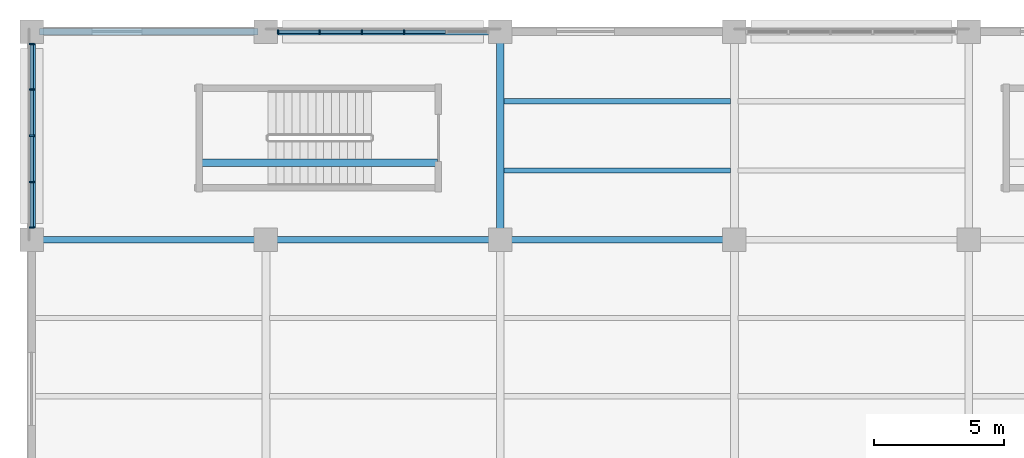
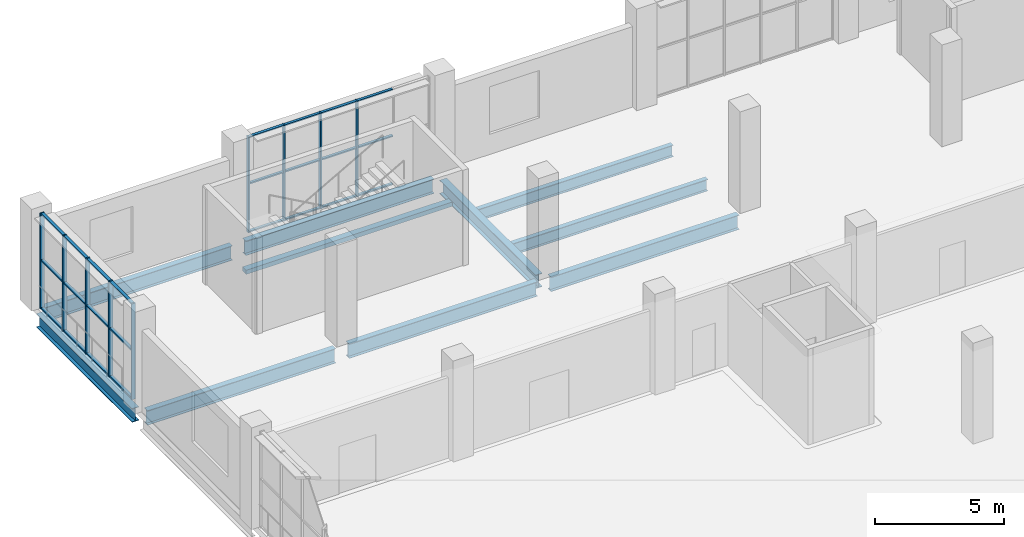
# One storey, part 50 of 183: 33 members, 10 beams, 2 elements without a shape of their own.
"""IFC4 building model written with IfcOpenShell, lengths in metres."""

from ifc_helpers import new_model, si_unit, direction, frame, origin, origin_2d, place, context, subcontext, project, spatial, rectangle, i_section, extrude, material, material_profile, profile_set, type_object, element, aggregate, save


model = new_model("IFC4")

# Units and contexts
model_context = context("Model", 3, precision=1e-05, world=origin(), true_north=direction((0.0, 1.0)))
body_context = subcontext(model_context, "Body", "Model", "MODEL_VIEW")
ifc_project = project(units=[si_unit("LENGTHUNIT", "METRE"), si_unit("AREAUNIT", "SQUARE_METRE"), si_unit("VOLUMEUNIT", "CUBIC_METRE"), si_unit("PLANEANGLEUNIT", "RADIAN"), si_unit("MASSUNIT", "GRAM", prefix="KILO")], contexts=[model_context])

# Site, building, storey
site_placement = place(None, origin())
site = spatial("IfcSite", under=ifc_project, at=site_placement, CompositionType="ELEMENT")
building_placement = place(site_placement, origin())
building = spatial("IfcBuilding", under=site, at=building_placement, Name="Zevraka Park Crest Stadium", CompositionType="ELEMENT")
storey_placement = place(building_placement, frame((0.0, 0.0, 5.39990234375)))
storey = spatial("IfcBuildingStorey", under=building, at=storey_placement, Name="L01", CompositionType="ELEMENT", Elevation=5.39990234375)

# Beams
ifc_material_1 = material(Name="Steel S355", Category="steel")
ifc_material_profile_1 = material_profile(ifc_material_1, i_section(OverallWidth=0.253662109375, OverallDepth=0.68359375, WebThickness=0.012451171875, FlangeThickness=0.01904296875, at=origin_2d()), Name="UKB 686x254x140")
ifc_profile_set_1 = profile_set([ifc_material_profile_1], Name="Steel S355")
beam_type_1 = type_object("IfcBeamType", Name="BG05", PredefinedType="BEAM", material=ifc_profile_set_1)
for number, where, z_axis, x_axis, name in (
    (1, (0.300048828125, 176.0, -0.649658203125), (1.0, 0.0, 0.0), (0.0, 1.0, 0.0), "Wing Girder BG05 L01-12/V"),
    (2, (0.300048828125, 184.0, -0.649658203125), (1.0, 0.0, 0.0), (0.0, 1.0, 0.0), "Wing Girder BG05 L01-12/W"),
    (3, (9.300048828125, 176.0, -0.649658203125), (1.0, 0.0, 0.0), (0.0, 1.0, 0.0), "Wing Girder BG05 L01-23/V"),
    (4, (9.300048828125, 184.0, -0.649658203125), (1.0, 0.0, 0.0), (0.0, 1.0, 0.0), "Wing Girder BG05 L01-23/W"),
    (5, (18.300048828125, 176.0, -0.649658203125), (1.0, 0.0, 0.0), (0.0, 1.0, 0.0), "Wing Girder BG05 L01-34/V"),
):
    element("IfcBeam", number, at=place(storey_placement, frame(where, z_axis=z_axis, x_axis=x_axis)), inside=storey, type_object=beam_type_1, Name=name, PredefinedType="BEAM", context=body_context, shape_type="SweptSolid", body=[
        extrude(i_section(OverallWidth=0.253662109375, OverallDepth=0.68359375, WebThickness=0.012451171875, FlangeThickness=0.01904296875, at=origin_2d()), origin(), (0.0, 0.0, 1.0), 8.39990234375),
    ])
ifc_material_2 = material(Name="Steel S355", Category="steel")
ifc_material_profile_2 = material_profile(ifc_material_2, i_section(OverallWidth=0.300048828125, OverallDepth=0.64990234375, WebThickness=0.01611328125, FlangeThickness=0.031005859375, at=origin_2d()), Name="HEB 650")
ifc_profile_set_2 = profile_set([ifc_material_profile_2], Name="Steel S355")
beam_type_2 = type_object("IfcBeamType", Name="BG07", PredefinedType="BEAM", material=ifc_profile_set_2)
for number, where, z_axis, x_axis, name in (
    (6, (0.0, 176.300048828125, -0.6328125), (0.0, 1.0, 0.0), (-1.0, 0.0, 0.0), "Wing Girder BG07 L01-1/VW"),
    (7, (18.0, 176.300048828125, -0.6328125), (0.0, 1.0, 0.0), (-1.0, 0.0, 0.0), "Wing Girder BG07 L01-3/VW"),
):
    element("IfcBeam", number, at=place(storey_placement, frame(where, z_axis=z_axis, x_axis=x_axis)), inside=storey, type_object=beam_type_2, Name=name, PredefinedType="BEAM", context=body_context, shape_type="SweptSolid", body=[
        extrude(i_section(OverallWidth=0.300048828125, OverallDepth=0.64990234375, WebThickness=0.01611328125, FlangeThickness=0.031005859375, at=origin_2d()), origin(), (0.0, 0.0, 1.0), 7.39990234375),
    ])

# Curtain wall, members
ifc_material_3 = material(Name="Anodised architectural aluminium and laminated safety glass", Category="aluminium")
curtain_wall_type_1 = type_object("IfcCurtainWallType", Name="CW28", PredefinedType="NOTDEFINED", material=ifc_material_3)
curtain_wall_1_placement = place(storey_placement, origin())
curtain_wall_1 = element("IfcCurtainWall", 8, at=curtain_wall_1_placement, inside=storey, type_object=curtain_wall_type_1, Name="Wing Curtain Wall CW28 L01-NW-N-2", PredefinedType="NOTDEFINED")
ifc_material_4 = material(Name="Anodised architectural aluminium", Category="aluminium")
ifc_material_profile_3 = material_profile(ifc_material_4, rectangle(XDim=0.159912109375, YDim=0.06005859375, at=origin_2d()), Name="ALU MULLION 160x60")
ifc_profile_set_3 = profile_set([ifc_material_profile_3], Name="Anodised architectural aluminium")
member_type_1 = type_object("IfcMemberType", Name="CM01", PredefinedType="MULLION", material=ifc_profile_set_3)
member_1_placement = place(storey_placement, frame((9.469970703125, 184.0, 0.0), z_axis=(0.0, 0.0, 1.0), x_axis=(0.0, 1.0, 0.0)))
member_1 = element("IfcMember", 9, at=member_1_placement, type_object=member_type_1, Name="CW28 mullion 1", PredefinedType="MULLION", context=body_context, shape_type="SweptSolid", body=[
    extrude(rectangle(XDim=0.159912109375, YDim=0.06005859375, at=origin_2d()), origin(), (0.0, 0.0, 1.0), 4.52001953125),
])
member_2_placement = place(storey_placement, frame((11.06396484375, 184.0, 0.0), z_axis=(0.0, 0.0, 1.0), x_axis=(0.0, 1.0, 0.0)))
member_2 = element("IfcMember", 10, at=member_2_placement, type_object=member_type_1, Name="CW28 mullion 2", PredefinedType="MULLION", context=body_context, shape_type="SweptSolid", body=[
    extrude(rectangle(XDim=0.159912109375, YDim=0.06005859375, at=origin_2d()), origin(), (0.0, 0.0, 1.0), 4.52001953125),
])
member_3_placement = place(storey_placement, frame((12.68798828125, 184.0, 0.0), z_axis=(0.0, 0.0, 1.0), x_axis=(0.0, 1.0, 0.0)))
member_3 = element("IfcMember", 11, at=member_3_placement, type_object=member_type_1, Name="CW28 mullion 3", PredefinedType="MULLION", context=body_context, shape_type="SweptSolid", body=[
    extrude(rectangle(XDim=0.159912109375, YDim=0.06005859375, at=origin_2d()), origin(), (0.0, 0.0, 1.0), 4.52001953125),
])
member_4_placement = place(storey_placement, frame((14.31201171875, 184.0, 0.0), z_axis=(0.0, 0.0, 1.0), x_axis=(0.0, 1.0, 0.0)))
member_4 = element("IfcMember", 12, at=member_4_placement, type_object=member_type_1, Name="CW28 mullion 4", PredefinedType="MULLION", context=body_context, shape_type="SweptSolid", body=[
    extrude(rectangle(XDim=0.159912109375, YDim=0.06005859375, at=origin_2d()), origin(), (0.0, 0.0, 1.0), 4.52001953125),
])

ifc_material_5 = material(Name="Anodised architectural aluminium and laminated safety glass", Category="aluminium")
curtain_wall_type_2 = type_object("IfcCurtainWallType", Name="CW29", PredefinedType="NOTDEFINED", material=ifc_material_5)
curtain_wall_2_placement = place(storey_placement, origin())
curtain_wall_2 = element("IfcCurtainWall", 13, at=curtain_wall_2_placement, inside=storey, type_object=curtain_wall_type_2, Name="Wing Curtain Wall CW29 L01-NW-W-8", PredefinedType="NOTDEFINED")
ifc_material_6 = material(Name="Anodised architectural aluminium", Category="aluminium")
ifc_material_profile_4 = material_profile(ifc_material_6, rectangle(XDim=0.179931640625, YDim=0.06494140625, at=origin_2d()), Name="ALU MULLION 180x65")
ifc_profile_set_4 = profile_set([ifc_material_profile_4], Name="Anodised architectural aluminium")
member_type_2 = type_object("IfcMemberType", Name="CM02", PredefinedType="MULLION", material=ifc_profile_set_4)
member_5_placement = place(storey_placement, frame((0.0, 176.472412109375, 0.0), z_axis=(0.0, 0.0, 1.0), x_axis=(-1.0, 0.0, 0.0)))
member_5 = element("IfcMember", 14, at=member_5_placement, type_object=member_type_2, Name="CW29 mullion 1", PredefinedType="MULLION", context=body_context, shape_type="SweptSolid", body=[
    extrude(rectangle(XDim=0.179931640625, YDim=0.06494140625, at=origin_2d()), origin(), (0.0, 0.0, 1.0), 4.52001953125),
])
member_6_placement = place(storey_placement, frame((0.0, 178.219970703125, 0.0), z_axis=(0.0, 0.0, 1.0), x_axis=(-1.0, 0.0, 0.0)))
member_6 = element("IfcMember", 15, at=member_6_placement, type_object=member_type_2, Name="CW29 mullion 2", PredefinedType="MULLION", context=body_context, shape_type="SweptSolid", body=[
    extrude(rectangle(XDim=0.179931640625, YDim=0.06494140625, at=origin_2d()), origin(), (0.0, 0.0, 1.0), 4.52001953125),
])
member_7_placement = place(storey_placement, frame((0.0, 180.0, 0.0), z_axis=(0.0, 0.0, 1.0), x_axis=(-1.0, 0.0, 0.0)))
member_7 = element("IfcMember", 16, at=member_7_placement, type_object=member_type_2, Name="CW29 mullion 3", PredefinedType="MULLION", context=body_context, shape_type="SweptSolid", body=[
    extrude(rectangle(XDim=0.179931640625, YDim=0.06494140625, at=origin_2d()), origin(), (0.0, 0.0, 1.0), 4.52001953125),
])
member_8_placement = place(storey_placement, frame((0.0, 181.780029296875, 0.0), z_axis=(0.0, 0.0, 1.0), x_axis=(-1.0, 0.0, 0.0)))
member_8 = element("IfcMember", 17, at=member_8_placement, type_object=member_type_2, Name="CW29 mullion 4", PredefinedType="MULLION", context=body_context, shape_type="SweptSolid", body=[
    extrude(rectangle(XDim=0.179931640625, YDim=0.06494140625, at=origin_2d()), origin(), (0.0, 0.0, 1.0), 4.52001953125),
])
member_9_placement = place(storey_placement, frame((0.0, 183.527587890625, 0.0), z_axis=(0.0, 0.0, 1.0), x_axis=(-1.0, 0.0, 0.0)))
member_9 = element("IfcMember", 18, at=member_9_placement, type_object=member_type_2, Name="CW29 mullion 5", PredefinedType="MULLION", context=body_context, shape_type="SweptSolid", body=[
    extrude(rectangle(XDim=0.179931640625, YDim=0.06494140625, at=origin_2d()), origin(), (0.0, 0.0, 1.0), 4.52001953125),
])

# Member
ifc_material_7 = material(Name="Anodised architectural aluminium", Category="aluminium")
ifc_material_profile_5 = material_profile(ifc_material_7, rectangle(XDim=0.1201171875, YDim=0.06005859375, at=origin_2d()), Name="ALU TRANSOM 120x60")
ifc_profile_set_5 = profile_set([ifc_material_profile_5], Name="Anodised architectural aluminium")
member_type_3 = type_object("IfcMemberType", Name="CT01", PredefinedType="USERDEFINED", material=ifc_profile_set_5)
member_10_placement = place(storey_placement, frame((9.5, 184.0, 0.030029296875), z_axis=(1.0, 0.0, 0.0), x_axis=(0.0, 1.0, 0.0)))
member_10 = element("IfcMember", 19, at=member_10_placement, type_object=member_type_3, Name="CW28 transom 1.1", ObjectType="TRANSOM", PredefinedType="USERDEFINED", context=body_context, shape_type="SweptSolid", body=[
    extrude(rectangle(XDim=0.1201171875, YDim=0.06005859375, at=origin_2d()), origin(), (0.0, 0.0, 1.0), 1.533935546875),
])

member_11_placement = place(storey_placement, frame((9.5, 184.0, 2.300048828125), z_axis=(1.0, 0.0, 0.0), x_axis=(0.0, 1.0, 0.0)))
member_11 = element("IfcMember", 20, at=member_11_placement, type_object=member_type_3, Name="CW28 transom 1.2", ObjectType="TRANSOM", PredefinedType="USERDEFINED", context=body_context, shape_type="SweptSolid", body=[
    extrude(rectangle(XDim=0.1201171875, YDim=0.06005859375, at=origin_2d()), origin(), (0.0, 0.0, 1.0), 1.533935546875),
])

member_12_placement = place(storey_placement, frame((9.5, 184.0, 4.489990234375), z_axis=(1.0, 0.0, 0.0), x_axis=(0.0, 1.0, 0.0)))
member_12 = element("IfcMember", 21, at=member_12_placement, type_object=member_type_3, Name="CW28 transom 1.3", ObjectType="TRANSOM", PredefinedType="USERDEFINED", context=body_context, shape_type="SweptSolid", body=[
    extrude(rectangle(XDim=0.1201171875, YDim=0.06005859375, at=origin_2d()), origin(), (0.0, 0.0, 1.0), 1.533935546875),
])

member_13_placement = place(storey_placement, frame((11.093994140625, 184.0, 0.030029296875), z_axis=(1.0, 0.0, 0.0), x_axis=(0.0, 1.0, 0.0)))
member_13 = element("IfcMember", 22, at=member_13_placement, type_object=member_type_3, Name="CW28 transom 2.1", ObjectType="TRANSOM", PredefinedType="USERDEFINED", context=body_context, shape_type="SweptSolid", body=[
    extrude(rectangle(XDim=0.1201171875, YDim=0.06005859375, at=origin_2d()), origin(), (0.0, 0.0, 1.0), 1.56396484375),
])

member_14_placement = place(storey_placement, frame((11.093994140625, 184.0, 2.300048828125), z_axis=(1.0, 0.0, 0.0), x_axis=(0.0, 1.0, 0.0)))
member_14 = element("IfcMember", 23, at=member_14_placement, type_object=member_type_3, Name="CW28 transom 2.2", ObjectType="TRANSOM", PredefinedType="USERDEFINED", context=body_context, shape_type="SweptSolid", body=[
    extrude(rectangle(XDim=0.1201171875, YDim=0.06005859375, at=origin_2d()), origin(), (0.0, 0.0, 1.0), 1.56396484375),
])

member_15_placement = place(storey_placement, frame((11.093994140625, 184.0, 4.489990234375), z_axis=(1.0, 0.0, 0.0), x_axis=(0.0, 1.0, 0.0)))
member_15 = element("IfcMember", 24, at=member_15_placement, type_object=member_type_3, Name="CW28 transom 2.3", ObjectType="TRANSOM", PredefinedType="USERDEFINED", context=body_context, shape_type="SweptSolid", body=[
    extrude(rectangle(XDim=0.1201171875, YDim=0.06005859375, at=origin_2d()), origin(), (0.0, 0.0, 1.0), 1.56396484375),
])

member_16_placement = place(storey_placement, frame((12.718017578125, 184.0, 0.030029296875), z_axis=(1.0, 0.0, 0.0), x_axis=(0.0, 1.0, 0.0)))
member_16 = element("IfcMember", 25, at=member_16_placement, type_object=member_type_3, Name="CW28 transom 3.1", ObjectType="TRANSOM", PredefinedType="USERDEFINED", context=body_context, shape_type="SweptSolid", body=[
    extrude(rectangle(XDim=0.1201171875, YDim=0.06005859375, at=origin_2d()), origin(), (0.0, 0.0, 1.0), 1.56396484375),
])

member_17_placement = place(storey_placement, frame((12.718017578125, 184.0, 2.300048828125), z_axis=(1.0, 0.0, 0.0), x_axis=(0.0, 1.0, 0.0)))
member_17 = element("IfcMember", 26, at=member_17_placement, type_object=member_type_3, Name="CW28 transom 3.2", ObjectType="TRANSOM", PredefinedType="USERDEFINED", context=body_context, shape_type="SweptSolid", body=[
    extrude(rectangle(XDim=0.1201171875, YDim=0.06005859375, at=origin_2d()), origin(), (0.0, 0.0, 1.0), 1.56396484375),
])

member_18_placement = place(storey_placement, frame((12.718017578125, 184.0, 4.489990234375), z_axis=(1.0, 0.0, 0.0), x_axis=(0.0, 1.0, 0.0)))
member_18 = element("IfcMember", 27, at=member_18_placement, type_object=member_type_3, Name="CW28 transom 3.3", ObjectType="TRANSOM", PredefinedType="USERDEFINED", context=body_context, shape_type="SweptSolid", body=[
    extrude(rectangle(XDim=0.1201171875, YDim=0.06005859375, at=origin_2d()), origin(), (0.0, 0.0, 1.0), 1.56396484375),
])

member_19_placement = place(storey_placement, frame((14.342041015625, 184.0, 0.030029296875), z_axis=(1.0, 0.0, 0.0), x_axis=(0.0, 1.0, 0.0)))
member_19 = element("IfcMember", 28, at=member_19_placement, type_object=member_type_3, Name="CW28 transom 4.1", ObjectType="TRANSOM", PredefinedType="USERDEFINED", context=body_context, shape_type="SweptSolid", body=[
    extrude(rectangle(XDim=0.1201171875, YDim=0.06005859375, at=origin_2d()), origin(), (0.0, 0.0, 1.0), 1.56396484375),
])

member_20_placement = place(storey_placement, frame((14.342041015625, 184.0, 2.300048828125), z_axis=(1.0, 0.0, 0.0), x_axis=(0.0, 1.0, 0.0)))
member_20 = element("IfcMember", 29, at=member_20_placement, type_object=member_type_3, Name="CW28 transom 4.2", ObjectType="TRANSOM", PredefinedType="USERDEFINED", context=body_context, shape_type="SweptSolid", body=[
    extrude(rectangle(XDim=0.1201171875, YDim=0.06005859375, at=origin_2d()), origin(), (0.0, 0.0, 1.0), 1.56396484375),
])

member_21_placement = place(storey_placement, frame((14.342041015625, 184.0, 4.489990234375), z_axis=(1.0, 0.0, 0.0), x_axis=(0.0, 1.0, 0.0)))
member_21 = element("IfcMember", 30, at=member_21_placement, type_object=member_type_3, Name="CW28 transom 4.3", ObjectType="TRANSOM", PredefinedType="USERDEFINED", context=body_context, shape_type="SweptSolid", body=[
    extrude(rectangle(XDim=0.1201171875, YDim=0.06005859375, at=origin_2d()), origin(), (0.0, 0.0, 1.0), 1.56396484375),
])

aggregate(curtain_wall_1, [member_1, member_2, member_3, member_4, member_10, member_11, member_12, member_13, member_14, member_15, member_16, member_17, member_18, member_19, member_20, member_21])

ifc_material_8 = material(Name="Anodised architectural aluminium", Category="aluminium")
ifc_material_profile_6 = material_profile(ifc_material_8, rectangle(XDim=0.139892578125, YDim=0.06494140625, at=origin_2d()), Name="ALU TRANSOM 140x65")
ifc_profile_set_6 = profile_set([ifc_material_profile_6], Name="Anodised architectural aluminium")
member_type_4 = type_object("IfcMemberType", Name="CT02", PredefinedType="USERDEFINED", material=ifc_profile_set_6)
member_22_placement = place(storey_placement, frame((0.0, 176.5048828125, 0.03271484375), z_axis=(0.0, 1.0, 0.0), x_axis=(-1.0, 0.0, 0.0)))
member_22 = element("IfcMember", 31, at=member_22_placement, type_object=member_type_4, Name="CW29 transom 1.1", ObjectType="TRANSOM", PredefinedType="USERDEFINED", context=body_context, shape_type="SweptSolid", body=[
    extrude(rectangle(XDim=0.139892578125, YDim=0.06494140625, at=origin_2d()), origin(), (0.0, 0.0, 1.0), 1.6826171875),
])

member_23_placement = place(storey_placement, frame((0.0, 176.5048828125, 2.300048828125), z_axis=(0.0, 1.0, 0.0), x_axis=(-1.0, 0.0, 0.0)))
member_23 = element("IfcMember", 32, at=member_23_placement, type_object=member_type_4, Name="CW29 transom 1.2", ObjectType="TRANSOM", PredefinedType="USERDEFINED", context=body_context, shape_type="SweptSolid", body=[
    extrude(rectangle(XDim=0.139892578125, YDim=0.06494140625, at=origin_2d()), origin(), (0.0, 0.0, 1.0), 1.6826171875),
])

member_24_placement = place(storey_placement, frame((0.0, 176.5048828125, 4.487548828125), z_axis=(0.0, 1.0, 0.0), x_axis=(-1.0, 0.0, 0.0)))
member_24 = element("IfcMember", 33, at=member_24_placement, type_object=member_type_4, Name="CW29 transom 1.3", ObjectType="TRANSOM", PredefinedType="USERDEFINED", context=body_context, shape_type="SweptSolid", body=[
    extrude(rectangle(XDim=0.139892578125, YDim=0.06494140625, at=origin_2d()), origin(), (0.0, 0.0, 1.0), 1.6826171875),
])

member_25_placement = place(storey_placement, frame((0.0, 178.25244140625, 0.03271484375), z_axis=(0.0, 1.0, 0.0), x_axis=(-1.0, 0.0, 0.0)))
member_25 = element("IfcMember", 34, at=member_25_placement, type_object=member_type_4, Name="CW29 transom 2.1", ObjectType="TRANSOM", PredefinedType="USERDEFINED", context=body_context, shape_type="SweptSolid", body=[
    extrude(rectangle(XDim=0.139892578125, YDim=0.06494140625, at=origin_2d()), origin(), (0.0, 0.0, 1.0), 1.715087890625),
])

member_26_placement = place(storey_placement, frame((0.0, 178.25244140625, 2.300048828125), z_axis=(0.0, 1.0, 0.0), x_axis=(-1.0, 0.0, 0.0)))
member_26 = element("IfcMember", 35, at=member_26_placement, type_object=member_type_4, Name="CW29 transom 2.2", ObjectType="TRANSOM", PredefinedType="USERDEFINED", context=body_context, shape_type="SweptSolid", body=[
    extrude(rectangle(XDim=0.139892578125, YDim=0.06494140625, at=origin_2d()), origin(), (0.0, 0.0, 1.0), 1.715087890625),
])

member_27_placement = place(storey_placement, frame((0.0, 178.25244140625, 4.487548828125), z_axis=(0.0, 1.0, 0.0), x_axis=(-1.0, 0.0, 0.0)))
member_27 = element("IfcMember", 36, at=member_27_placement, type_object=member_type_4, Name="CW29 transom 2.3", ObjectType="TRANSOM", PredefinedType="USERDEFINED", context=body_context, shape_type="SweptSolid", body=[
    extrude(rectangle(XDim=0.139892578125, YDim=0.06494140625, at=origin_2d()), origin(), (0.0, 0.0, 1.0), 1.715087890625),
])

member_28_placement = place(storey_placement, frame((0.0, 180.032470703125, 0.03271484375), z_axis=(0.0, 1.0, 0.0), x_axis=(-1.0, 0.0, 0.0)))
member_28 = element("IfcMember", 37, at=member_28_placement, type_object=member_type_4, Name="CW29 transom 3.1", ObjectType="TRANSOM", PredefinedType="USERDEFINED", context=body_context, shape_type="SweptSolid", body=[
    extrude(rectangle(XDim=0.139892578125, YDim=0.06494140625, at=origin_2d()), origin(), (0.0, 0.0, 1.0), 1.715087890625),
])

member_29_placement = place(storey_placement, frame((0.0, 180.032470703125, 2.300048828125), z_axis=(0.0, 1.0, 0.0), x_axis=(-1.0, 0.0, 0.0)))
member_29 = element("IfcMember", 38, at=member_29_placement, type_object=member_type_4, Name="CW29 transom 3.2", ObjectType="TRANSOM", PredefinedType="USERDEFINED", context=body_context, shape_type="SweptSolid", body=[
    extrude(rectangle(XDim=0.139892578125, YDim=0.06494140625, at=origin_2d()), origin(), (0.0, 0.0, 1.0), 1.715087890625),
])

member_30_placement = place(storey_placement, frame((0.0, 180.032470703125, 4.487548828125), z_axis=(0.0, 1.0, 0.0), x_axis=(-1.0, 0.0, 0.0)))
member_30 = element("IfcMember", 39, at=member_30_placement, type_object=member_type_4, Name="CW29 transom 3.3", ObjectType="TRANSOM", PredefinedType="USERDEFINED", context=body_context, shape_type="SweptSolid", body=[
    extrude(rectangle(XDim=0.139892578125, YDim=0.06494140625, at=origin_2d()), origin(), (0.0, 0.0, 1.0), 1.715087890625),
])

member_31_placement = place(storey_placement, frame((0.0, 181.8125, 0.03271484375), z_axis=(0.0, 1.0, 0.0), x_axis=(-1.0, 0.0, 0.0)))
member_31 = element("IfcMember", 40, at=member_31_placement, type_object=member_type_4, Name="CW29 transom 4.1", ObjectType="TRANSOM", PredefinedType="USERDEFINED", context=body_context, shape_type="SweptSolid", body=[
    extrude(rectangle(XDim=0.139892578125, YDim=0.06494140625, at=origin_2d()), origin(), (0.0, 0.0, 1.0), 1.6826171875),
])

member_32_placement = place(storey_placement, frame((0.0, 181.8125, 2.300048828125), z_axis=(0.0, 1.0, 0.0), x_axis=(-1.0, 0.0, 0.0)))
member_32 = element("IfcMember", 41, at=member_32_placement, type_object=member_type_4, Name="CW29 transom 4.2", ObjectType="TRANSOM", PredefinedType="USERDEFINED", context=body_context, shape_type="SweptSolid", body=[
    extrude(rectangle(XDim=0.139892578125, YDim=0.06494140625, at=origin_2d()), origin(), (0.0, 0.0, 1.0), 1.6826171875),
])

member_33_placement = place(storey_placement, frame((0.0, 181.8125, 4.487548828125), z_axis=(0.0, 1.0, 0.0), x_axis=(-1.0, 0.0, 0.0)))
member_33 = element("IfcMember", 42, at=member_33_placement, type_object=member_type_4, Name="CW29 transom 4.3", ObjectType="TRANSOM", PredefinedType="USERDEFINED", context=body_context, shape_type="SweptSolid", body=[
    extrude(rectangle(XDim=0.139892578125, YDim=0.06494140625, at=origin_2d()), origin(), (0.0, 0.0, 1.0), 1.6826171875),
])

aggregate(curtain_wall_2, [member_5, member_6, member_7, member_8, member_9, member_22, member_23, member_24, member_25, member_26, member_27, member_28, member_29, member_30, member_31, member_32, member_33])

# Beams
ifc_material_9 = material(Name="Steel S355", Category="steel")
ifc_material_profile_7 = material_profile(ifc_material_9, i_section(OverallWidth=0.2099609375, OverallDepth=0.550048828125, WebThickness=0.010986328125, FlangeThickness=0.01708984375, at=origin_2d()), Name="IPE 550")
ifc_profile_set_7 = profile_set([ifc_material_profile_7], Name="Steel S355")
beam_type_3 = type_object("IfcBeamType", Name="SJ04", PredefinedType="JOIST", material=ifc_profile_set_7)
for number, where, z_axis, x_axis, name in (
    (43, (18.14501953125, 178.6669921875, -0.5849609375), (1.0, 0.0, 0.0), (0.0, 1.0, 0.0), "Wing Joist SJ04 L01-3/V-1"),
    (44, (18.14501953125, 181.3330078125, -0.5849609375), (1.0, 0.0, 0.0), (0.0, 1.0, 0.0), "Wing Joist SJ04 L01-3/V-2"),
):
    element("IfcBeam", number, at=place(storey_placement, frame(where, z_axis=z_axis, x_axis=x_axis)), inside=storey, type_object=beam_type_3, Name=name, PredefinedType="JOIST", context=body_context, shape_type="SweptSolid", body=[
        extrude(i_section(OverallWidth=0.2099609375, OverallDepth=0.550048828125, WebThickness=0.010986328125, FlangeThickness=0.01708984375, at=origin_2d()), origin(), (0.0, 0.0, 1.0), 8.7099609375),
    ])
ifc_material_10 = material(Name="Concrete C40/50", Category="concrete")
ifc_material_profile_8 = material_profile(ifc_material_10, rectangle(XDim=0.280029296875, YDim=0.199951171875, at=origin_2d()), Name="RC 200x280")
ifc_profile_set_8 = profile_set([ifc_material_profile_8], Name="Concrete C40/50")
beam_type_4 = type_object("IfcBeamType", Name="SJ13", PredefinedType="JOIST", material=ifc_profile_set_8)
beam_placement = place(storey_placement, frame((15.60009765625, 178.965087890625, 2.300048828125), z_axis=(-1.0, 0.0, 0.0), x_axis=(0.0, -1.0, 0.0)))
element("IfcBeam", 45, at=beam_placement, inside=storey, type_object=beam_type_4, Name="Stair Upper-Flight Longitudinal Stringer SJ13 ST47-L01", PredefinedType="JOIST", context=body_context, shape_type="SweptSolid", body=[
    extrude(rectangle(XDim=0.280029296875, YDim=0.199951171875, at=origin_2d()), origin(), (0.0, 0.0, 1.0), 9.2001953125),
])

save(model, "model.ifc")
